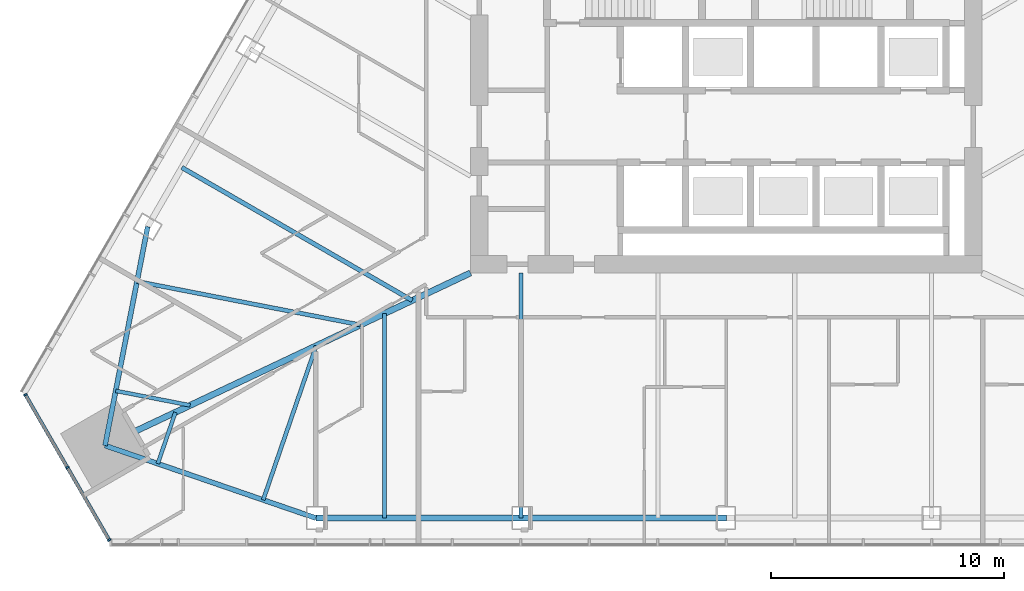
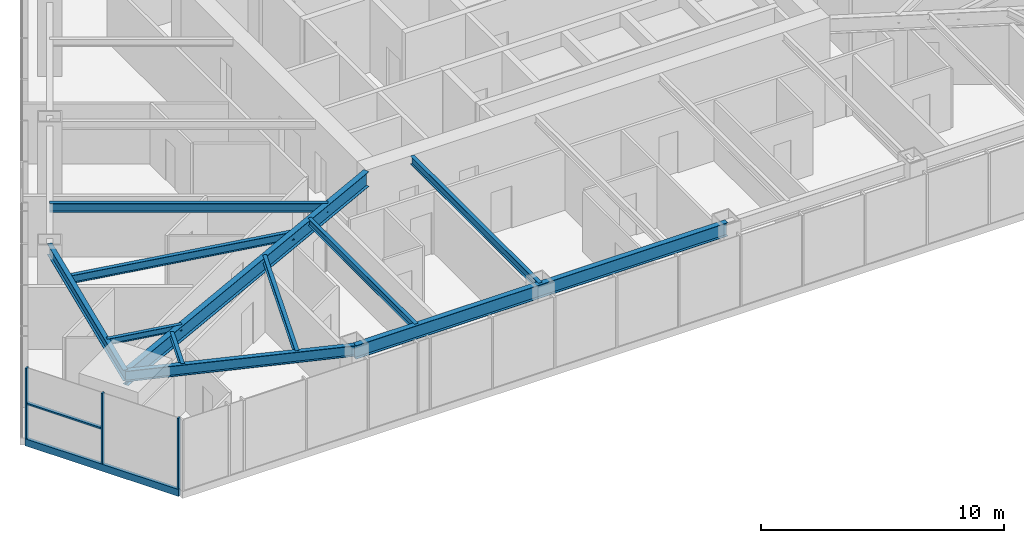
# One storey, part 2 of 19: 11 beams, 5 members, 1 element without a shape of its own.
"""IFC4 building model written with IfcOpenShell, lengths in metres."""

from ifc_helpers import new_model, si_unit, direction, frame, origin, origin_2d, place, context, subcontext, project, spatial, rectangle, i_section, extrude, material, layer, layer_set, material_profile, profile_set, type_object, element, aggregate, save


model = new_model("IFC4")

# Units and contexts
model_context = context("Model", 3, precision=1e-05, world=origin(), true_north=direction((0.0, 1.0)))
body_context = subcontext(model_context, "Body", "Model", "MODEL_VIEW")
ifc_project = project(units=[si_unit("LENGTHUNIT", "METRE"), si_unit("AREAUNIT", "SQUARE_METRE"), si_unit("VOLUMEUNIT", "CUBIC_METRE"), si_unit("PLANEANGLEUNIT", "RADIAN"), si_unit("MASSUNIT", "GRAM", prefix="KILO")], contexts=[model_context])

# Site, building, storey
site_placement = place(None, origin())
site = spatial("IfcSite", under=ifc_project, at=site_placement, CompositionType="ELEMENT")
building_placement = place(site_placement, origin())
building = spatial("IfcBuilding", under=site, at=building_placement, Name="Firuza Gate Tower and Library", CompositionType="ELEMENT")
storey_placement = place(building_placement, frame((0.0, 0.0, 183.10009765625)))
storey = spatial("IfcBuildingStorey", under=building, at=storey_placement, Name="L42", CompositionType="ELEMENT", Elevation=183.10009765625)

# Curtain wall, members
ifc_material_1 = material(Name="Aluminium 6063-T6", Category="aluminium")
ifc_layer = layer(ifc_material_1, 0.14990234375)
ifc_layer_set = layer_set([ifc_layer], Name="Corner curtain wall, chamfers")
curtain_wall_type = type_object("IfcCurtainWallType", Name="Corner curtain wall, chamfers", PredefinedType="NOTDEFINED", material=ifc_layer_set)
curtain_wall_placement = place(storey_placement, origin())
curtain_wall = element("IfcCurtainWall", 1, at=curtain_wall_placement, inside=storey, type_object=curtain_wall_type, Name="CW4 L42 SW corner", PredefinedType="NOTDEFINED")
ifc_material_2 = material(Name="Aluminium 6063-T6", Category="aluminium")
ifc_material_profile_1 = material_profile(ifc_material_2, rectangle(XDim=0.14990234375, YDim=0.080078125, at=origin_2d()))
ifc_profile_set_1 = profile_set([ifc_material_profile_1], Name="Aluminium 6063-T6")
member_type_1 = type_object("IfcMemberType", Name="Curtain wall mullion 80x150", PredefinedType="MULLION", material=ifc_profile_set_1)
member_1_placement = place(storey_placement, frame((44.86181640625, 61.760498046875, 0.14990234375), z_axis=(0.0, 0.0, 1.0), x_axis=(0.866025403784, 0.5, 0.0)))
member_1 = element("IfcMember", 2, at=member_1_placement, type_object=member_type_1, Name="Mullion", PredefinedType="MULLION", context=body_context, shape_type="SweptSolid", body=[
    extrude(rectangle(XDim=0.14990234375, YDim=0.080078125, at=origin_2d()), origin(), (0.0, 0.0, 1.0), 3.550048828125),
])
member_2_placement = place(storey_placement, frame((46.66357421875, 58.639892578125, 0.14990234375), z_axis=(0.0, 0.0, 1.0), x_axis=(0.866025403784, 0.5, 0.0)))
member_2 = element("IfcMember", 3, at=member_2_placement, type_object=member_type_1, Name="Mullion", PredefinedType="MULLION", context=body_context, shape_type="SweptSolid", body=[
    extrude(rectangle(XDim=0.14990234375, YDim=0.080078125, at=origin_2d()), origin(), (0.0, 0.0, 1.0), 3.550048828125),
])
member_3_placement = place(storey_placement, frame((48.465087890625, 55.519287109375, 0.14990234375), z_axis=(0.0, 0.0, 1.0), x_axis=(0.866025403784, 0.5, 0.0)))
member_3 = element("IfcMember", 4, at=member_3_placement, type_object=member_type_1, Name="Mullion", PredefinedType="MULLION", context=body_context, shape_type="SweptSolid", body=[
    extrude(rectangle(XDim=0.14990234375, YDim=0.080078125, at=origin_2d()), origin(), (0.0, 0.0, 1.0), 3.550048828125),
])
ifc_material_3 = material(Name="Aluminium 6063-T6", Category="aluminium")
ifc_material_profile_2 = material_profile(ifc_material_3, rectangle(XDim=0.14990234375, YDim=0.35009765625, at=origin_2d()))
ifc_profile_set_2 = profile_set([ifc_material_profile_2], Name="Aluminium 6063-T6")
member_type_2 = type_object("IfcMemberType", Name="Curtain wall transom 350x150", PredefinedType="USERDEFINED", material=ifc_profile_set_2)
member_4_placement = place(storey_placement, frame((44.841796875, 61.795166015625, -0.025146484375), z_axis=(0.499991211061, -0.866030478021, 0.0), x_axis=(0.866030478021, 0.499991211061, 0.0)))
member_4 = element("IfcMember", 5, at=member_4_placement, type_object=member_type_2, Name="Transom", ObjectType="TRANSOM", PredefinedType="USERDEFINED", context=body_context, shape_type="SweptSolid", body=[
    extrude(rectangle(XDim=0.14990234375, YDim=0.35009765625, at=origin_2d()), origin(), (0.0, 0.0, 1.0), 7.286865234375),
])
ifc_material_4 = material(Name="Aluminium 6063-T6", Category="aluminium")
ifc_material_profile_3 = material_profile(ifc_material_4, rectangle(XDim=0.14990234375, YDim=0.080078125, at=origin_2d()))
ifc_profile_set_3 = profile_set([ifc_material_profile_3], Name="Aluminium 6063-T6")
member_type_3 = type_object("IfcMemberType", Name="Curtain wall transom 80x150", PredefinedType="USERDEFINED", material=ifc_profile_set_3)
member_5_placement = place(storey_placement, frame((44.86181640625, 61.760498046875, 1.9248046875), z_axis=(0.500015035186, -0.866016723041, 0.0), x_axis=(0.866016723041, 0.500015035186, 0.0)))
member_5 = element("IfcMember", 6, at=member_5_placement, type_object=member_type_3, Name="Transom", ObjectType="TRANSOM", PredefinedType="USERDEFINED", context=body_context, shape_type="SweptSolid", body=[
    extrude(rectangle(XDim=0.14990234375, YDim=0.080078125, at=origin_2d()), origin(), (0.0, 0.0, 1.0), 3.5634765625),
])
aggregate(curtain_wall, [member_1, member_2, member_3, member_4, member_5])

# Beams
ifc_material_5 = material(Name="Steel S355", Category="steel")
ifc_material_profile_4 = material_profile(ifc_material_5, i_section(OverallWidth=0.1650390625, OverallDepth=0.31005859375, WebThickness=0.005859375, FlangeThickness=0.009765625, at=origin_2d()))
ifc_profile_set_4 = profile_set([ifc_material_profile_4], Name="Steel S355")
beam_type_1 = type_object("IfcBeamType", Name="W310x39 Floor beam", PredefinedType="JOIST", material=ifc_profile_set_4)
beam_1_placement = place(storey_placement, frame((48.745361328125, 61.9296875, 3.544921875), z_axis=(0.981558472637, -0.191162142681, 0.0), x_axis=(0.191162142681, 0.981558472637, 0.0)))
element("IfcBeam", 7, at=beam_1_placement, inside=storey, type_object=beam_type_1, Name="Floor beam L42 s01", PredefinedType="JOIST", context=body_context, shape_type="SweptSolid", body=[
    extrude(i_section(OverallWidth=0.1650390625, OverallDepth=0.31005859375, WebThickness=0.005859375, FlangeThickness=0.009765625, at=origin_2d()), origin(), (0.0, 0.0, 1.0), 3.26171875),
])
beam_2_placement = place(storey_placement, frame((50.553466796875, 58.798095703125, 3.544921875), z_axis=(0.325275479668, 0.945619300949, 0.0), x_axis=(-0.945619300949, 0.325275479668, 0.0)))
element("IfcBeam", 8, at=beam_2_placement, inside=storey, type_object=beam_type_1, Name="Floor beam L42 s10", PredefinedType="JOIST", context=body_context, shape_type="SweptSolid", body=[
    extrude(i_section(OverallWidth=0.1650390625, OverallDepth=0.31005859375, WebThickness=0.005859375, FlangeThickness=0.009765625, at=origin_2d()), origin(), (0.0, 0.0, 1.0), 2.335693359375),
])
ifc_material_6 = material(Name="Steel S355", Category="steel")
ifc_material_profile_5 = material_profile(ifc_material_6, i_section(OverallWidth=0.1708984375, OverallDepth=0.35498046875, WebThickness=0.007080078125, FlangeThickness=0.01171875, at=origin_2d()))
ifc_profile_set_5 = profile_set([ifc_material_profile_5], Name="Steel S355")
beam_type_2 = type_object("IfcBeamType", Name="W360x51 Floor beam", PredefinedType="JOIST", material=ifc_profile_set_5)
beam_3_placement = place(storey_placement, frame((55.0859375, 57.239013671875, 3.5224609375), z_axis=(0.32522289411, 0.945637387769, 0.0), x_axis=(-0.945637387769, 0.32522289411, 0.0)))
element("IfcBeam", 9, at=beam_3_placement, inside=storey, type_object=beam_type_2, Name="Floor beam L42 s11", PredefinedType="JOIST", context=body_context, shape_type="SweptSolid", body=[
    extrude(i_section(OverallWidth=0.1708984375, OverallDepth=0.35498046875, WebThickness=0.007080078125, FlangeThickness=0.01171875, at=origin_2d()), origin(), (0.0, 0.0, 1.0), 7.007568359375),
])
beam_4_placement = place(storey_placement, frame((60.29345703125, 56.459716796875, 3.5224609375), z_axis=(0.0, 1.0, 0.0), x_axis=(-1.0, 0.0, 0.0)))
element("IfcBeam", 10, at=beam_4_placement, inside=storey, type_object=beam_type_2, Name="Floor beam L42 s20", PredefinedType="JOIST", context=body_context, shape_type="SweptSolid", body=[
    extrude(i_section(OverallWidth=0.1708984375, OverallDepth=0.35498046875, WebThickness=0.007080078125, FlangeThickness=0.01171875, at=origin_2d()), origin(), (0.0, 0.0, 1.0), 8.789306640625),
])
ifc_material_7 = material(Name="Steel S355", Category="steel")
ifc_material_profile_6 = material_profile(ifc_material_7, i_section(OverallWidth=0.177978515625, OverallDepth=0.406982421875, WebThickness=0.0078125, FlangeThickness=0.0126953125, at=origin_2d()))
ifc_profile_set_6 = profile_set([ifc_material_profile_6], Name="Steel S355")
beam_type_3 = type_object("IfcBeamType", Name="W410x60 Floor beam", PredefinedType="JOIST", material=ifc_profile_set_6)
beam_5_placement = place(storey_placement, frame((49.66162109375, 66.634521484375, 3.496337890625), z_axis=(0.981557560879, -0.191166824215, 0.0), x_axis=(0.191166824215, 0.981557560879, 0.0)))
element("IfcBeam", 11, at=beam_5_placement, inside=storey, type_object=beam_type_3, Name="Floor beam L42 s00", PredefinedType="JOIST", context=body_context, shape_type="SweptSolid", body=[
    extrude(i_section(OverallWidth=0.177978515625, OverallDepth=0.406982421875, WebThickness=0.0078125, FlangeThickness=0.0126953125, at=origin_2d()), origin(), (0.0, 0.0, 1.0), 9.78515625),
])
beam_6_placement = place(storey_placement, frame((66.176025390625, 56.459716796875, 3.496337890625), z_axis=(0.0, 1.0, 0.0), x_axis=(-1.0, 0.0, 0.0)))
element("IfcBeam", 12, at=beam_6_placement, inside=storey, type_object=beam_type_3, Name="Floor beam L42 s21", PredefinedType="JOIST", context=body_context, shape_type="SweptSolid", body=[
    extrude(i_section(OverallWidth=0.177978515625, OverallDepth=0.406982421875, WebThickness=0.0078125, FlangeThickness=0.0126953125, at=origin_2d()), origin(), (0.0, 0.0, 1.0), 10.540283203125),
])
ifc_material_8 = material(Name="Steel S355", Category="steel")
ifc_material_profile_7 = material_profile(ifc_material_8, i_section(OverallWidth=0.18994140625, OverallDepth=0.45703125, WebThickness=0.009033203125, FlangeThickness=0.014404296875, at=origin_2d()))
ifc_profile_set_7 = profile_set([ifc_material_profile_7], Name="Steel S355")
beam_type_4 = type_object("IfcBeamType", Name="W460x74 Floor beam", PredefinedType="JOIST", material=ifc_profile_set_7)
beam_7_placement = place(storey_placement, frame((51.59033203125, 71.533935546875, 3.471435546875), z_axis=(0.866027379035, -0.49999657875, 0.0), x_axis=(0.49999657875, 0.866027379035, 0.0)))
element("IfcBeam", 13, at=beam_7_placement, inside=storey, type_object=beam_type_4, Name="Floor beam L42 s85", PredefinedType="JOIST", context=body_context, shape_type="SweptSolid", body=[
    extrude(i_section(OverallWidth=0.18994140625, OverallDepth=0.45703125, WebThickness=0.009033203125, FlangeThickness=0.014404296875, at=origin_2d()), origin(), (0.0, 0.0, 1.0), 11.435546875),
])
ifc_material_9 = material(Name="Steel S355", Category="steel")
ifc_material_profile_8 = material_profile(ifc_material_9, i_section(OverallWidth=0.212890625, OverallDepth=0.5390625, WebThickness=0.01171875, FlangeThickness=0.018798828125, at=origin_2d()))
ifc_profile_set_8 = profile_set([ifc_material_profile_8], Name="Steel S355")
beam_type_5 = type_object("IfcBeamType", Name="W530x109 Edge beam", PredefinedType="SPANDREL", material=ifc_profile_set_8)
for number, where, z_axis, x_axis, name in (
    (14, (50.119873046875, 68.98681640625, 3.430419921875), (-0.191162086549, -0.981558483569, 0.0), (0.981558483569, -0.191162086549, 0.0), "Edge beam L42 e00"),
    (15, (48.287353515625, 59.577392578125, 3.430419921875), (0.945635206182, -0.325229237354, 0.0), (0.325229237354, 0.945635206182, 0.0), "Edge beam L42 e10"),
):
    element("IfcBeam", number, at=place(storey_placement, frame(where, z_axis=z_axis, x_axis=x_axis)), inside=storey, type_object=beam_type_5, Name=name, PredefinedType="SPANDREL", context=body_context, shape_type="SweptSolid", body=[
        extrude(i_section(OverallWidth=0.212890625, OverallDepth=0.5390625, WebThickness=0.01171875, FlangeThickness=0.018798828125, at=origin_2d()), origin(), (0.0, 0.0, 1.0), 9.586181640625),
    ])
ifc_material_10 = material(Name="Steel S355", Category="steel")
ifc_material_profile_9 = material_profile(ifc_material_10, i_section(OverallWidth=0.2529296875, OverallDepth=0.677978515625, WebThickness=0.01171875, FlangeThickness=0.016357421875, at=origin_2d()))
ifc_profile_set_9 = profile_set([ifc_material_profile_9], Name="Steel S355")
beam_type_6 = type_object("IfcBeamType", Name="W690x125 Edge beam", PredefinedType="SPANDREL", material=ifc_profile_set_9)
beam_8_placement = place(storey_placement, frame((57.352294921875, 56.459716796875, 3.36083984375), z_axis=(1.0, 0.0, 0.0), x_axis=(0.0, 1.0, 0.0)))
element("IfcBeam", 16, at=beam_8_placement, inside=storey, type_object=beam_type_6, Name="Edge beam L42 e20", PredefinedType="SPANDREL", context=body_context, shape_type="SweptSolid", body=[
    extrude(i_section(OverallWidth=0.2529296875, OverallDepth=0.677978515625, WebThickness=0.01171875, FlangeThickness=0.016357421875, at=origin_2d()), origin(), (0.0, 0.0, 1.0), 17.647705078125),
])
ifc_material_11 = material(Name="Steel S355", Category="steel")
ifc_material_profile_10 = material_profile(ifc_material_11, i_section(OverallWidth=0.264892578125, OverallDepth=0.7529296875, WebThickness=0.01318359375, FlangeThickness=0.01708984375, at=origin_2d()))
ifc_profile_set_10 = profile_set([ifc_material_profile_10], Name="Steel S355")
beam_type_7 = type_object("IfcBeamType", Name="W760x147 Girder", PredefinedType="BEAM", material=ifc_profile_set_10)
beam_9_placement = place(storey_placement, frame((48.287353515625, 59.577392578125, 3.323486328125), z_axis=(0.904187610241, 0.427135535266, 0.0), x_axis=(-0.427135535266, 0.904187610241, 0.0)))
element("IfcBeam", 17, at=beam_9_placement, inside=storey, type_object=beam_type_7, Name="Girder L42 gSW", PredefinedType="BEAM", context=body_context, shape_type="SweptSolid", body=[
    extrude(i_section(OverallWidth=0.264892578125, OverallDepth=0.7529296875, WebThickness=0.01318359375, FlangeThickness=0.01708984375, at=origin_2d()), origin(), (0.0, 0.0, 1.0), 17.377685546875),
])

save(model, "model.ifc")
